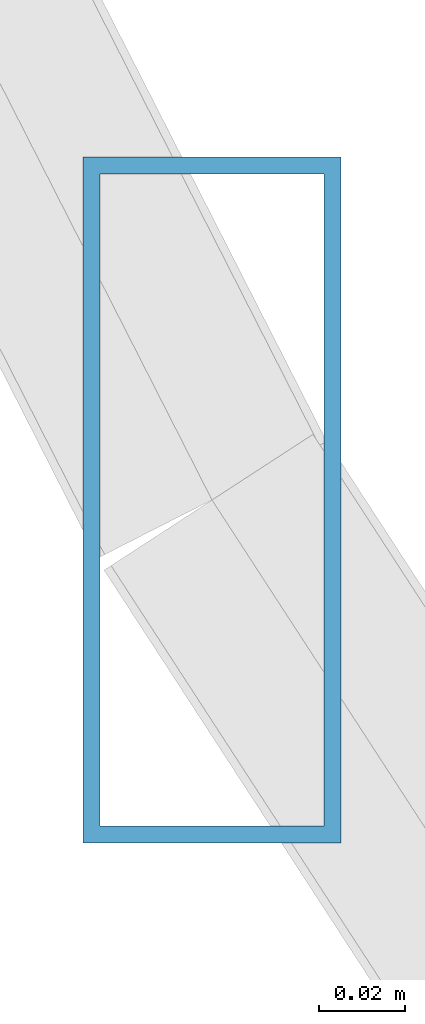
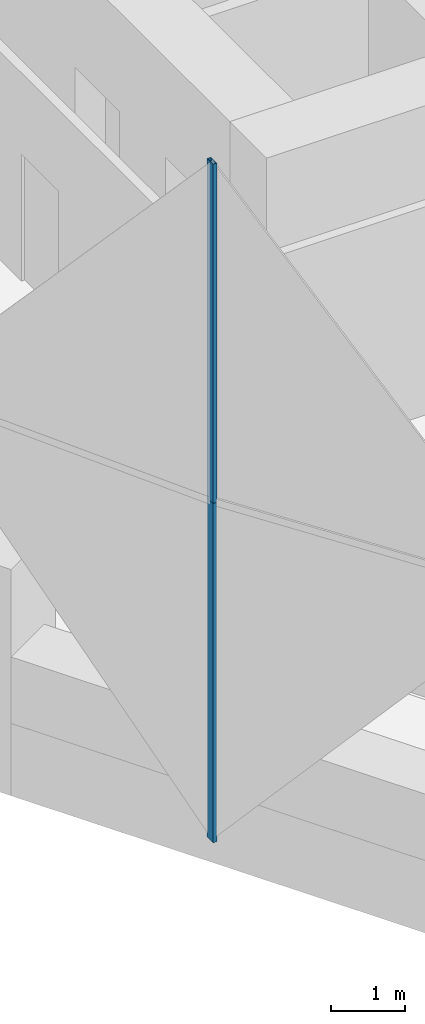
# One storey, part 2 of 16: 2 members, 1 element without a shape of its own.
"""IFC4 building model written with IfcOpenShell, lengths in metres."""

from ifc_helpers import new_model, si_unit, direction, frame, origin, origin_2d, place, context, subcontext, project, spatial, hollow_rectangle, extrude, material, material_profile, profile_set, type_object, element, aggregate, save


model = new_model("IFC4")

# Units and contexts
model_context = context("Model", 3, precision=1e-05, world=origin(), true_north=direction((0.0, 1.0)))
body_context = subcontext(model_context, "Body", "Model", "MODEL_VIEW")
ifc_project = project(units=[si_unit("LENGTHUNIT", "METRE"), si_unit("AREAUNIT", "SQUARE_METRE"), si_unit("VOLUMEUNIT", "CUBIC_METRE"), si_unit("PLANEANGLEUNIT", "RADIAN"), si_unit("MASSUNIT", "GRAM", prefix="KILO")], contexts=[model_context])

# Site, building, storey
site_placement = place(None, origin())
site = spatial("IfcSite", under=ifc_project, at=site_placement, CompositionType="ELEMENT")
building_placement = place(site_placement, origin())
building = spatial("IfcBuilding", under=site, at=building_placement, Name="Ostrander Bayou Hotel Tower", CompositionType="ELEMENT")
storey_placement = place(building_placement, frame((0.0, 0.0, 85.5)))
storey = spatial("IfcBuildingStorey", under=building, at=storey_placement, Name="L21", CompositionType="ELEMENT", Elevation=85.5)

# Curtain wall, members
ifc_material_1 = material(Name="Aluminium and clear glass", Category="aluminium")
curtain_wall_type = type_object("IfcCurtainWallType", Name="CW-LAT lattice glazing", PredefinedType="NOTDEFINED", material=ifc_material_1)
curtain_wall_placement = place(storey_placement, origin())
curtain_wall = element("IfcCurtainWall", 1, at=curtain_wall_placement, inside=storey, type_object=curtain_wall_type, Name="CW-LAT L21 SW 1", PredefinedType="NOTDEFINED")
ifc_material_2 = material(Name="Aluminium", Category="aluminium")
ifc_material_profile = material_profile(ifc_material_2, hollow_rectangle(XDim=0.06005859375, YDim=0.159912109375, WallThickness=0.00390625, at=origin_2d()))
ifc_profile_set = profile_set([ifc_material_profile], Name="Aluminium")
member_type = type_object("IfcMemberType", Name="CW-LA mullion 60 x 160 mm", PredefinedType="MULLION", material=ifc_profile_set)
member_1_placement = place(storey_placement, frame((-17.814208984375, -10.284912109375, -0.60009765625), z_axis=(0.0, 0.0, 1.0), x_axis=(1.0, 0.0, 0.0)))
member_1 = element("IfcMember", 2, at=member_1_placement, type_object=member_type, Name="CW-LAT mullion 4", PredefinedType="MULLION", context=body_context, shape_type="SweptSolid", body=[
    extrude(hollow_rectangle(XDim=0.06005859375, YDim=0.159912109375, WallThickness=0.00390625, at=origin_2d()), origin(), (0.0, 0.0, 1.0), 5.625),
])
member_2_placement = place(storey_placement, frame((-17.814208984375, -10.284912109375, 5.02490234375), z_axis=(0.0, 0.0, 1.0), x_axis=(1.0, 0.0, 0.0)))
member_2 = element("IfcMember", 3, at=member_2_placement, type_object=member_type, Name="CW-LAT mullion 5", PredefinedType="MULLION", context=body_context, shape_type="SweptSolid", body=[
    extrude(hollow_rectangle(XDim=0.06005859375, YDim=0.159912109375, WallThickness=0.00390625, at=origin_2d()), origin(), (0.0, 0.0, 1.0), 5.625),
])
aggregate(curtain_wall, [member_1, member_2])

save(model, "model.ifc")
